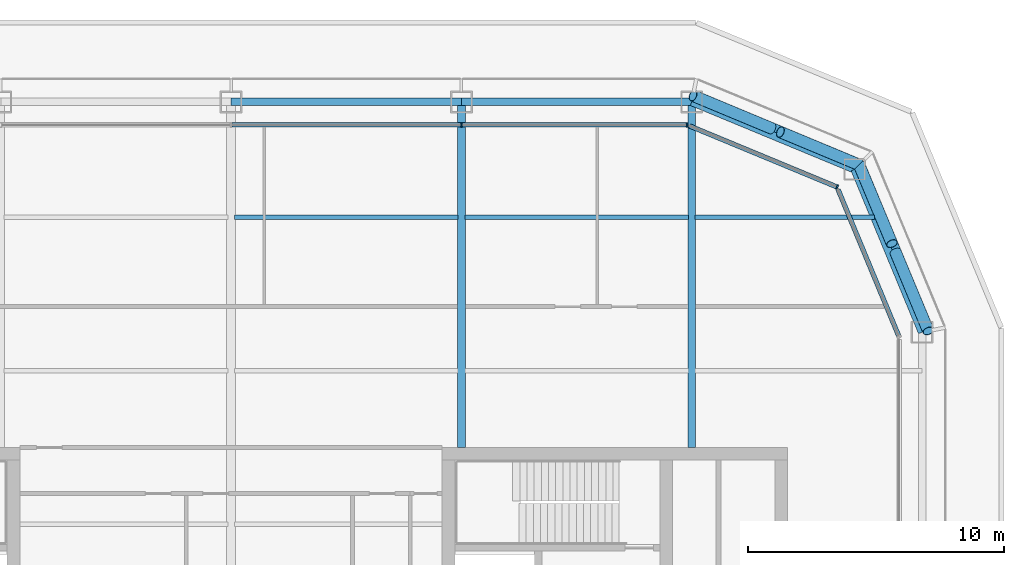
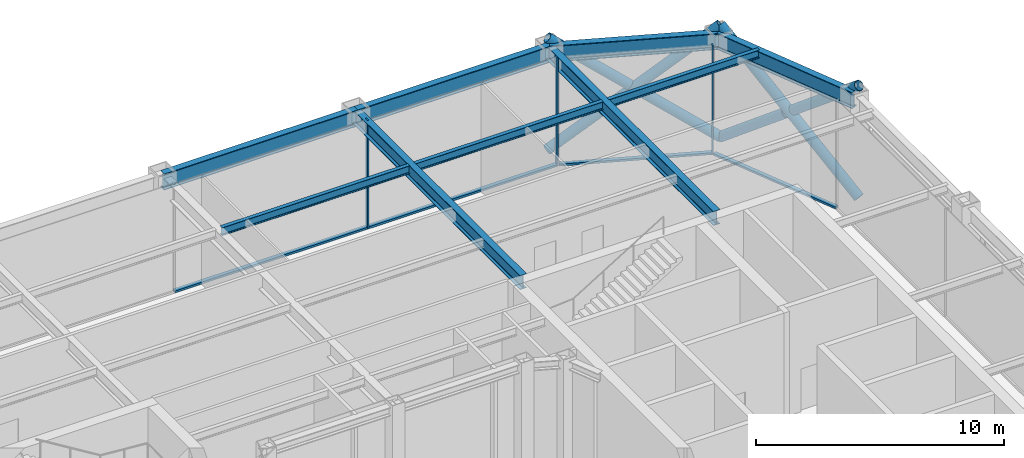
# One storey, part 9 of 19: 13 members, 9 beams, 3 elements without a shape of their own.
"""IFC4 building model written with IfcOpenShell, lengths in metres."""

from ifc_helpers import new_model, si_unit, direction, frame, origin, origin_2d, place, context, subcontext, project, spatial, rectangle, hollow_circle, i_section, extrude, material, layer, layer_set, material_profile, profile_set, type_object, element, aggregate, save


model = new_model("IFC4")

# Units and contexts
model_context = context("Model", 3, precision=1e-05, world=origin(), true_north=direction((0.0, 1.0)))
body_context = subcontext(model_context, "Body", "Model", "MODEL_VIEW")
ifc_project = project(units=[si_unit("LENGTHUNIT", "METRE"), si_unit("AREAUNIT", "SQUARE_METRE"), si_unit("VOLUMEUNIT", "CUBIC_METRE"), si_unit("PLANEANGLEUNIT", "RADIAN"), si_unit("MASSUNIT", "GRAM", prefix="KILO")], contexts=[model_context])

# Site, building, storey
site_placement = place(None, origin())
site = spatial("IfcSite", under=ifc_project, at=site_placement, CompositionType="ELEMENT")
building_placement = place(site_placement, origin())
building = spatial("IfcBuilding", under=site, at=building_placement, Name="Siwar Civic Tower", CompositionType="ELEMENT")
storey_placement = place(building_placement, frame((0.0, 0.0, 187.199951171875)))
storey = spatial("IfcBuildingStorey", under=building, at=storey_placement, Name="L40", CompositionType="ELEMENT", Elevation=187.199951171875)

# Curtain wall, member
ifc_material_1 = material(Name="Aluminium clad insulated panel", Category="aluminium")
ifc_layer_1 = layer(ifc_material_1, 0.179931640625)
ifc_layer_set_1 = layer_set([ifc_layer_1], Name="Aluminium clad insulated panel")
curtain_wall_type_1 = type_object("IfcCurtainWallType", Name="ENV-CW-CX", PredefinedType="NOTDEFINED", material=ifc_layer_set_1)
curtain_wall_1_placement = place(storey_placement, origin())
curtain_wall_1 = element("IfcCurtainWall", 1, at=curtain_wall_1_placement, inside=storey, type_object=curtain_wall_type_1, Name="Curtain wall C NE2", PredefinedType="NOTDEFINED")
ifc_material_2 = material(Name="Aluminium 6063-T6", Category="aluminium")
ifc_material_profile_1 = material_profile(ifc_material_2, rectangle(XDim=0.179931640625, YDim=0.06005859375, at=origin_2d()), Name="AL 180x60")
ifc_profile_set_1 = profile_set([ifc_material_profile_1], Name="Aluminium 6063-T6")
member_type_1 = type_object("IfcMemberType", Name="ENV-MULLION-C", PredefinedType="MULLION", material=ifc_profile_set_1)
member_1_placement = place(storey_placement, frame((23.675048828125, 23.675048828125, 0.0), z_axis=(0.0, 0.0, 1.0), x_axis=(-0.382683432365, -0.923879532511, 0.0)))
member_1 = element("IfcMember", 2, at=member_1_placement, type_object=member_type_1, Name="Mullion C NE2 1", PredefinedType="MULLION", context=body_context, shape_type="SweptSolid", body=[
    extrude(rectangle(XDim=0.179931640625, YDim=0.06005859375, at=origin_2d()), origin(), (0.0, 0.0, 1.0), 5.35009765625),
])

# Curtain wall, members
ifc_material_3 = material(Name="Aluminium and glass", Category="aluminium")
ifc_layer_2 = layer(ifc_material_3, 0.179931640625)
ifc_layer_set_2 = layer_set([ifc_layer_2], Name="Aluminium and glass")
curtain_wall_type_2 = type_object("IfcCurtainWallType", Name="ENV-CW-C", PredefinedType="NOTDEFINED", material=ifc_layer_set_2)
curtain_wall_2_placement = place(storey_placement, origin())
curtain_wall_2 = element("IfcCurtainWall", 3, at=curtain_wall_2_placement, inside=storey, type_object=curtain_wall_type_2, Name="Curtain wall C N", PredefinedType="NOTDEFINED")
member_2_placement = place(storey_placement, frame((17.821044921875, 26.10009765625, 0.0), z_axis=(0.0, 0.0, 1.0), x_axis=(0.0, -1.0, 0.0)))
member_2 = element("IfcMember", 4, at=member_2_placement, type_object=member_type_1, Name="Mullion C N 1", PredefinedType="MULLION", context=body_context, shape_type="SweptSolid", body=[
    extrude(rectangle(XDim=0.179931640625, YDim=0.06005859375, at=origin_2d()), origin(), (0.0, 0.0, 1.0), 5.35009765625),
])
member_3_placement = place(storey_placement, frame((9.0, 26.10009765625, 0.0), z_axis=(0.0, 0.0, 1.0), x_axis=(0.0, -1.0, 0.0)))
member_3 = element("IfcMember", 5, at=member_3_placement, type_object=member_type_1, Name="Mullion C N 2", PredefinedType="MULLION", context=body_context, shape_type="SweptSolid", body=[
    extrude(rectangle(XDim=0.179931640625, YDim=0.06005859375, at=origin_2d()), origin(), (0.0, 0.0, 1.0), 5.35009765625),
])

# Curtain wall, member
curtain_wall_3_placement = place(storey_placement, origin())
curtain_wall_3 = element("IfcCurtainWall", 6, at=curtain_wall_3_placement, inside=storey, type_object=curtain_wall_type_1, Name="Curtain wall C NE1", PredefinedType="NOTDEFINED")
ifc_material_4 = material(Name="Aluminium 6063-T6", Category="aluminium")
ifc_material_profile_2 = material_profile(ifc_material_4, rectangle(XDim=0.179931640625, YDim=0.10009765625, at=origin_2d()), Name="AL 180x100")
ifc_profile_set_2 = profile_set([ifc_material_profile_2], Name="Aluminium 6063-T6")
member_type_2 = type_object("IfcMemberType", Name="ENV-TRANSOM-C", PredefinedType="USERDEFINED", material=ifc_profile_set_2)
member_4_placement = place(storey_placement, frame((26.088623046875, 17.8486328125, 0.050048828125), z_axis=(-0.38267744817, 0.923882011223, 0.0), x_axis=(-0.923882011223, -0.38267744817, 0.0)))
member_4 = element("IfcMember", 7, at=member_4_placement, type_object=member_type_2, Name="Transom C NE1 1", ObjectType="TRANSOM", PredefinedType="USERDEFINED", context=body_context, shape_type="SweptSolid", body=[
    extrude(rectangle(XDim=0.179931640625, YDim=0.10009765625, at=origin_2d()), origin(), (0.0, 0.0, 1.0), 6.201904296875),
])
aggregate(curtain_wall_3, [member_4])

# Member
member_5_placement = place(storey_placement, frame((23.6474609375, 23.6865234375, 0.050048828125), z_axis=(-0.923876246063, 0.382691366456, 0.0), x_axis=(-0.382691366456, -0.923876246063, 0.0)))
member_5 = element("IfcMember", 8, at=member_5_placement, type_object=member_type_2, Name="Transom C NE2 1", ObjectType="TRANSOM", PredefinedType="USERDEFINED", context=body_context, shape_type="SweptSolid", body=[
    extrude(rectangle(XDim=0.179931640625, YDim=0.10009765625, at=origin_2d()), origin(), (0.0, 0.0, 1.0), 6.20166015625),
])

aggregate(curtain_wall_1, [member_1, member_5])

member_6_placement = place(storey_placement, frame((17.791015625, 26.10009765625, 0.050048828125), z_axis=(-1.0, 0.0, 0.0), x_axis=(0.0, -1.0, 0.0)))
member_6 = element("IfcMember", 9, at=member_6_placement, type_object=member_type_2, Name="Transom C N 1", ObjectType="TRANSOM", PredefinedType="USERDEFINED", context=body_context, shape_type="SweptSolid", body=[
    extrude(rectangle(XDim=0.179931640625, YDim=0.10009765625, at=origin_2d()), origin(), (0.0, 0.0, 1.0), 8.760986328125),
])

member_7_placement = place(storey_placement, frame((8.969970703125, 26.10009765625, 0.050048828125), z_axis=(-1.0, 0.0, 0.0), x_axis=(0.0, -1.0, 0.0)))
member_7 = element("IfcMember", 10, at=member_7_placement, type_object=member_type_2, Name="Transom C N 2", ObjectType="TRANSOM", PredefinedType="USERDEFINED", context=body_context, shape_type="SweptSolid", body=[
    extrude(rectangle(XDim=0.179931640625, YDim=0.10009765625, at=origin_2d()), origin(), (0.0, 0.0, 1.0), 8.93994140625),
])

aggregate(curtain_wall_2, [member_2, member_3, member_6, member_7])

# Members
ifc_material_5 = material(Name="Steel S355", Category="steel")
ifc_material_profile_3 = material_profile(ifc_material_5, hollow_circle(Radius=0.228515625, WallThickness=0.02001953125, at=origin_2d()), Name="CHS457x20")
ifc_profile_set_3 = profile_set([ifc_material_profile_3], Name="Steel S355")
member_type_3 = type_object("IfcMemberType", Name="STR-BR-CHS457x20", PredefinedType="BRACE", material=ifc_profile_set_3)
member_8_placement = place(storey_placement, frame((18.048828125, 27.2451171875, 0.0), z_axis=(0.727145879939, -0.302906807269, 0.616040855299), x_axis=(0.384538969033, 0.923108759191, 0.0)))
element("IfcMember", 11, at=member_8_placement, inside=storey, type_object=member_type_3, Name="L40/brc/CNE1-0-0-1", PredefinedType="BRACE", context=body_context, shape_type="SweptSolid", body=[
    extrude(hollow_circle(Radius=0.228515625, WallThickness=0.02001953125, at=origin_2d()), origin(), (0.0, 0.0, 1.0), 8.927978515625),
])
member_9_placement = place(storey_placement, frame((24.540771484375, 24.540771484375, 0.0), z_axis=(-0.727124205174, 0.302925168513, 0.616057410094), x_axis=(-0.384568599462, -0.923096415499, 0.0)))
element("IfcMember", 12, at=member_9_placement, inside=storey, type_object=member_type_3, Name="L40/brc/CNE1-0-0-2", PredefinedType="BRACE", context=body_context, shape_type="SweptSolid", body=[
    extrude(hollow_circle(Radius=0.228515625, WallThickness=0.02001953125, at=origin_2d()), origin(), (0.0, 0.0, 1.0), 4.233642578125),
])
member_10_placement = place(storey_placement, frame((21.127197265625, 25.962890625, 2.89208984375), z_axis=(-0.727162739796, 0.302883552178, 0.616032388493), x_axis=(-0.384506214648, -0.923122402988, 0.0)))
element("IfcMember", 13, at=member_10_placement, inside=storey, type_object=member_type_3, Name="L40/brc/CNE1-0-0-3", PredefinedType="BRACE", context=body_context, shape_type="SweptSolid", body=[
    extrude(hollow_circle(Radius=0.228515625, WallThickness=0.02001953125, at=origin_2d()), origin(), (0.0, 0.0, 1.0), 4.2333984375),
])
member_11_placement = place(storey_placement, frame((27.2451171875, 18.048828125, 0.0), z_axis=(-0.302906807269, 0.727145879939, 0.616040855299), x_axis=(-0.923108759191, -0.384538969033, 0.0)))
element("IfcMember", 14, at=member_11_placement, inside=storey, type_object=member_type_3, Name="L40/brc/CNE1-0-0-0", PredefinedType="BRACE", context=body_context, shape_type="SweptSolid", body=[
    extrude(hollow_circle(Radius=0.228515625, WallThickness=0.02001953125, at=origin_2d()), origin(), (0.0, 0.0, 1.0), 8.927978515625),
])
member_12_placement = place(storey_placement, frame((24.540771484375, 24.540771484375, 0.0), z_axis=(0.302925168513, -0.727124205174, 0.616057410094), x_axis=(0.923096415499, 0.384568599462, 0.0)))
element("IfcMember", 15, at=member_12_placement, inside=storey, type_object=member_type_3, Name="L40/brc/CNE1-0-0-4", PredefinedType="BRACE", context=body_context, shape_type="SweptSolid", body=[
    extrude(hollow_circle(Radius=0.228515625, WallThickness=0.02001953125, at=origin_2d()), origin(), (0.0, 0.0, 1.0), 4.233642578125),
])
member_13_placement = place(storey_placement, frame((25.962890625, 21.127197265625, 2.89208984375), z_axis=(0.302883552178, -0.727162739796, 0.616032388493), x_axis=(0.923122402988, 0.384506214648, 0.0)))
element("IfcMember", 16, at=member_13_placement, inside=storey, type_object=member_type_3, Name="L40/brc/CNE1-0-0-5", PredefinedType="BRACE", context=body_context, shape_type="SweptSolid", body=[
    extrude(hollow_circle(Radius=0.228515625, WallThickness=0.02001953125, at=origin_2d()), origin(), (0.0, 0.0, 1.0), 4.2333984375),
])

# Beams
ifc_material_6 = material(Name="Steel S355", Category="steel")
ifc_material_profile_4 = material_profile(ifc_material_6, i_section(OverallWidth=0.179931640625, OverallDepth=0.39990234375, WebThickness=0.008544921875, FlangeThickness=0.013427734375, FilletRadius=0.02099609375, at=origin_2d()), Name="IPE400")
ifc_profile_set_4 = profile_set([ifc_material_profile_4], Name="Steel S355")
beam_type_1 = type_object("IfcBeamType", Name="STR-FB-IPE400", PredefinedType="JOIST", material=ifc_profile_set_4)
for number, where, z_axis, x_axis, name in (
    (17, (0.1298828125, 22.5, 5.150146484375), (1.0, 0.0, 0.0), (0.0, 1.0, 0.0), "L40/bm/F040"),
    (18, (9.1298828125, 22.5, 5.150146484375), (1.0, 0.0, 0.0), (0.0, 1.0, 0.0), "L40/bm/F041"),
):
    element("IfcBeam", number, at=place(storey_placement, frame(where, z_axis=z_axis, x_axis=x_axis)), inside=storey, type_object=beam_type_1, Name=name, PredefinedType="JOIST", context=body_context, shape_type="SweptSolid", body=[
        extrude(i_section(OverallWidth=0.179931640625, OverallDepth=0.39990234375, WebThickness=0.008544921875, FlangeThickness=0.013427734375, FilletRadius=0.02099609375, at=origin_2d()), origin(), (0.0, 0.0, 1.0), 8.740234375),
    ])
beam_placement = place(storey_placement, frame((18.1298828125, 22.5, 5.150146484375), z_axis=(1.0, 0.0, 0.0), x_axis=(0.0, 1.0, 0.0)))
element("IfcBeam", 19, at=beam_placement, inside=storey, type_object=beam_type_1, Name="L40/bm/F042", PredefinedType="JOIST", context=body_context, shape_type="SweptSolid", body=[
    extrude(i_section(OverallWidth=0.179931640625, OverallDepth=0.39990234375, WebThickness=0.008544921875, FlangeThickness=0.013427734375, FilletRadius=0.02099609375, at=origin_2d()), origin(), (0.0, 0.0, 1.0), 7.006103515625),
])
ifc_material_7 = material(Name="Steel S355", Category="steel")
ifc_material_profile_5 = material_profile(ifc_material_7, i_section(OverallWidth=0.300048828125, OverallDepth=0.699951171875, WebThickness=0.01708984375, FlangeThickness=0.031982421875, FilletRadius=0.027099609375, at=origin_2d()), Name="HEB700")
ifc_profile_set_5 = profile_set([ifc_material_profile_5], Name="Steel S355")
beam_type_2 = type_object("IfcBeamType", Name="STR-PG-HEB700", PredefinedType="BEAM", material=ifc_profile_set_5)
for number, where, z_axis, x_axis, name in (
    (20, (9.0, 13.5, 5.0), (0.0, 1.0, 0.0), (-1.0, 0.0, 0.0), "L40/bm/G08"),
    (21, (18.0, 13.5, 5.0), (0.0, 1.0, 0.0), (-1.0, 0.0, 0.0), "L40/bm/G10"),
):
    element("IfcBeam", number, at=place(storey_placement, frame(where, z_axis=z_axis, x_axis=x_axis)), inside=storey, type_object=beam_type_2, Name=name, PredefinedType="BEAM", context=body_context, shape_type="SweptSolid", body=[
        extrude(i_section(OverallWidth=0.300048828125, OverallDepth=0.699951171875, WebThickness=0.01708984375, FlangeThickness=0.031982421875, FilletRadius=0.027099609375, at=origin_2d()), origin(), (0.0, 0.0, 1.0), 13.5),
    ])
ifc_material_8 = material(Name="Steel S355", Category="steel")
ifc_material_profile_6 = material_profile(ifc_material_8, i_section(OverallWidth=0.300048828125, OverallDepth=0.800048828125, WebThickness=0.017578125, FlangeThickness=0.032958984375, FilletRadius=0.030029296875, at=origin_2d()), Name="HEB800")
ifc_profile_set_6 = profile_set([ifc_material_profile_6], Name="Steel S355")
beam_type_3 = type_object("IfcBeamType", Name="STR-SB-HEB800", PredefinedType="BEAM", material=ifc_profile_set_6)
for number, where, z_axis, x_axis, name in (
    (22, (27.0, 18.0, 4.949951171875), (-0.382674207535, 0.923883353507, 0.0), (-0.923883353507, -0.382674207535, 0.0), "L40/bm/SNE1-0"),
    (23, (24.364013671875, 24.364013671875, 4.949951171875), (-0.923883353507, 0.382674207535, 0.0), (-0.382674207535, -0.923883353507, 0.0), "L40/bm/SNE2-0"),
):
    element("IfcBeam", number, at=place(storey_placement, frame(where, z_axis=z_axis, x_axis=x_axis)), inside=storey, type_object=beam_type_3, Name=name, PredefinedType="BEAM", context=body_context, shape_type="SweptSolid", body=[
        extrude(i_section(OverallWidth=0.300048828125, OverallDepth=0.800048828125, WebThickness=0.017578125, FlangeThickness=0.032958984375, FilletRadius=0.030029296875, at=origin_2d()), origin(), (0.0, 0.0, 1.0), 6.888427734375),
    ])
for number, where, z_axis, x_axis, name in (
    (24, (18.0, 27.0, 4.949951171875), (-1.0, 0.0, 0.0), (0.0, -1.0, 0.0), "L40/bm/SN-0"),
    (25, (9.0, 27.0, 4.949951171875), (-1.0, 0.0, 0.0), (0.0, -1.0, 0.0), "L40/bm/SN-1"),
):
    element("IfcBeam", number, at=place(storey_placement, frame(where, z_axis=z_axis, x_axis=x_axis)), inside=storey, type_object=beam_type_3, Name=name, PredefinedType="BEAM", context=body_context, shape_type="SweptSolid", body=[
        extrude(i_section(OverallWidth=0.300048828125, OverallDepth=0.800048828125, WebThickness=0.017578125, FlangeThickness=0.032958984375, FilletRadius=0.030029296875, at=origin_2d()), origin(), (0.0, 0.0, 1.0), 9.0),
    ])

save(model, "model.ifc")
